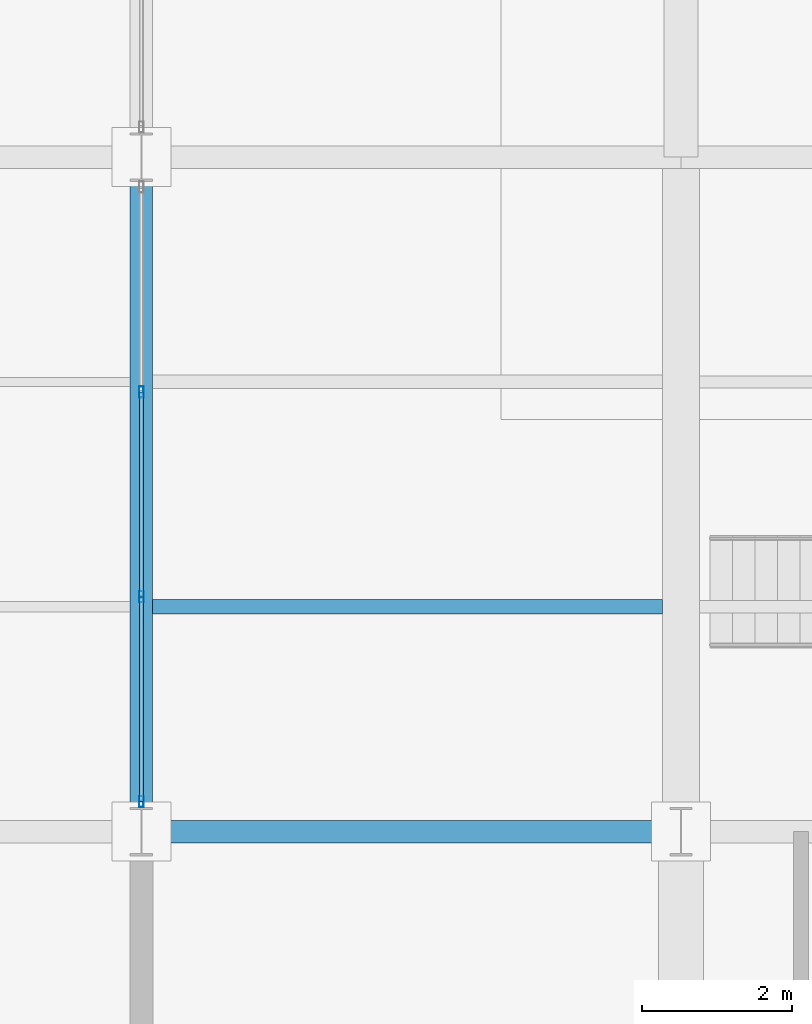
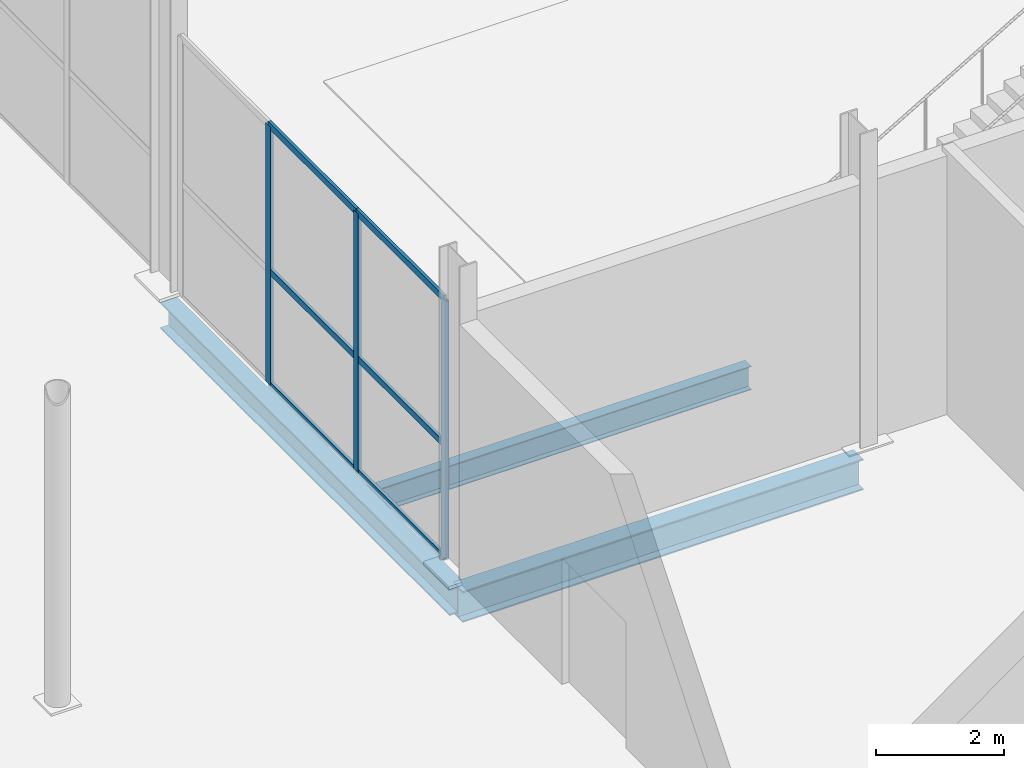
# One storey, part 44 of 144: 9 members, 3 beams, 1 element without a shape of its own.
"""IFC4 building model written with IfcOpenShell, lengths in metres."""

from ifc_helpers import new_model, si_unit, direction, frame, origin, origin_2d, place, context, subcontext, project, spatial, hollow_rectangle, i_section, extrude, material, layer, layer_set, material_profile, profile_set, type_object, element, aggregate, save


model = new_model("IFC4")

# Units and contexts
model_context = context("Model", 3, precision=1e-05, world=origin(), true_north=direction((0.0, 1.0)))
body_context = subcontext(model_context, "Body", "Model", "MODEL_VIEW")
ifc_project = project(units=[si_unit("LENGTHUNIT", "METRE"), si_unit("AREAUNIT", "SQUARE_METRE"), si_unit("VOLUMEUNIT", "CUBIC_METRE"), si_unit("PLANEANGLEUNIT", "RADIAN"), si_unit("MASSUNIT", "GRAM", prefix="KILO")], contexts=[model_context])

# Site, building, storey
site_placement = place(None, origin())
site = spatial("IfcSite", under=ifc_project, at=site_placement, CompositionType="ELEMENT")
building_placement = place(site_placement, origin())
building = spatial("IfcBuilding", under=site, at=building_placement, Name="Sundgate Opera House", CompositionType="ELEMENT")
storey_placement = place(building_placement, origin())
storey = spatial("IfcBuildingStorey", under=building, at=storey_placement, Name="L00", CompositionType="ELEMENT", Elevation=0.0)

# Beams
ifc_material_1 = material(Name="Steel S355J2", Category="steel")
ifc_material_profile_1 = material_profile(ifc_material_1, i_section(OverallWidth=0.300048828125, OverallDepth=0.590087890625, WebThickness=0.012939453125, FlangeThickness=0.02490234375, at=origin_2d()), Name="HEA 600")
ifc_profile_set_1 = profile_set([ifc_material_profile_1], Name="Steel S355J2")
beam_type_1 = type_object("IfcBeamType", Name="BM-GR-HEA600", PredefinedType="BEAM", material=ifc_profile_set_1)
beam_1_placement = place(storey_placement, frame((95.39990234375, 42.0, -0.614990234375), z_axis=(1.0, 0.0, 0.0), x_axis=(0.0, 1.0, 0.0)))
element("IfcBeam", 1, at=beam_1_placement, inside=storey, type_object=beam_type_1, Name="L00 Primary E-W Girder B0418", PredefinedType="BEAM", context=body_context, shape_type="SweptSolid", body=[
    extrude(i_section(OverallWidth=0.300048828125, OverallDepth=0.590087890625, WebThickness=0.012939453125, FlangeThickness=0.02490234375, at=origin_2d()), origin(), (0.0, 0.0, 1.0), 7.2001953125),
])
ifc_material_2 = material(Name="Steel S355J2", Category="steel")
ifc_material_profile_2 = material_profile(ifc_material_2, i_section(OverallWidth=0.300048828125, OverallDepth=0.5, WebThickness=0.014404296875, FlangeThickness=0.028076171875, at=origin_2d()), Name="HEB 500")
ifc_profile_set_2 = profile_set([ifc_material_profile_2], Name="Steel S355J2")
beam_type_2 = type_object("IfcBeamType", Name="BM-GR-HEB500", PredefinedType="BEAM", material=ifc_profile_set_2)
beam_2_placement = place(storey_placement, frame((95.39990234375, 42.0, -0.570068359375), z_axis=(0.0, 1.0, 0.0), x_axis=(-1.0, 0.0, 0.0)))
element("IfcBeam", 2, at=beam_2_placement, inside=storey, type_object=beam_type_2, Name="L00 Primary N-S Girder B0195", PredefinedType="BEAM", context=body_context, shape_type="SweptSolid", body=[
    extrude(i_section(OverallWidth=0.300048828125, OverallDepth=0.5, WebThickness=0.014404296875, FlangeThickness=0.028076171875, at=origin_2d()), origin(), (0.0, 0.0, 1.0), 9.0),
])
ifc_material_3 = material(Name="Steel S355J2", Category="steel")
ifc_material_profile_3 = material_profile(ifc_material_3, i_section(OverallWidth=0.18994140625, OverallDepth=0.449951171875, WebThickness=0.009521484375, FlangeThickness=0.0146484375, at=origin_2d()), Name="IPE 450")
ifc_profile_set_3 = profile_set([ifc_material_profile_3], Name="Steel S355J2")
beam_type_3 = type_object("IfcBeamType", Name="BM-JS-IPE450", PredefinedType="JOIST", material=ifc_profile_set_3)
beam_3_placement = place(storey_placement, frame((95.550048828125, 45.0, -0.544921875), z_axis=(1.0, 0.0, 0.0), x_axis=(0.0, 1.0, 0.0)))
element("IfcBeam", 3, at=beam_3_placement, inside=storey, type_object=beam_type_3, Name="L00 Secondary Floor Joist B0763", PredefinedType="JOIST", context=body_context, shape_type="SweptSolid", body=[
    extrude(i_section(OverallWidth=0.18994140625, OverallDepth=0.449951171875, WebThickness=0.009521484375, FlangeThickness=0.0146484375, at=origin_2d()), origin(), (0.0, 0.0, 1.0), 6.800048828125),
])

# Curtain wall, members
ifc_material_4 = material(Name="Anodized aluminium and low-iron glass", Category="aluminium")
ifc_layer = layer(ifc_material_4, 0.159912109375)
ifc_layer_set = layer_set([ifc_layer], Name="Anodized aluminium and low-iron glass")
curtain_wall_type = type_object("IfcCurtainWallType", Name="CW-STUDIO-DARK", PredefinedType="NOTDEFINED", material=ifc_layer_set)
curtain_wall_placement = place(storey_placement, origin())
curtain_wall = element("IfcCurtainWall", 4, at=curtain_wall_placement, inside=storey, type_object=curtain_wall_type, Name="L00 Curtain Wall CW028", PredefinedType="NOTDEFINED")
ifc_material_5 = material(Name="Anodized aluminium EN AW-6063", Category="aluminium")
ifc_material_profile_4 = material_profile(ifc_material_5, hollow_rectangle(XDim=0.06005859375, YDim=0.14990234375, WallThickness=0.00390625, at=origin_2d()), Name="CWM 150x60x4")
ifc_profile_set_4 = profile_set([ifc_material_profile_4], Name="Anodized aluminium EN AW-6063")
member_type_1 = type_object("IfcMemberType", Name="CWM-ALU-150x60", PredefinedType="MULLION", material=ifc_profile_set_4)
member_1_placement = place(storey_placement, frame((95.39990234375, 47.86669921875, 0.0), z_axis=(0.0, 0.0, 1.0), x_axis=(1.0, 0.0, 0.0)))
member_1 = element("IfcMember", 5, at=member_1_placement, type_object=member_type_1, Name="CW028 Mullion 2", PredefinedType="MULLION", context=body_context, shape_type="SweptSolid", body=[
    extrude(hollow_rectangle(XDim=0.06005859375, YDim=0.14990234375, WallThickness=0.00390625, at=origin_2d()), origin(), (0.0, 0.0, 1.0), 4.9150390625),
])
member_2_placement = place(storey_placement, frame((95.39990234375, 45.13330078125, 0.0), z_axis=(0.0, 0.0, 1.0), x_axis=(1.0, 0.0, 0.0)))
member_2 = element("IfcMember", 6, at=member_2_placement, type_object=member_type_1, Name="CW028 Mullion 3", PredefinedType="MULLION", context=body_context, shape_type="SweptSolid", body=[
    extrude(hollow_rectangle(XDim=0.06005859375, YDim=0.14990234375, WallThickness=0.00390625, at=origin_2d()), origin(), (0.0, 0.0, 1.0), 4.9150390625),
])
member_3_placement = place(storey_placement, frame((95.39990234375, 42.39990234375, 0.0), z_axis=(0.0, 0.0, 1.0), x_axis=(1.0, 0.0, 0.0)))
member_3 = element("IfcMember", 7, at=member_3_placement, type_object=member_type_1, Name="CW028 Mullion 4", PredefinedType="MULLION", context=body_context, shape_type="SweptSolid", body=[
    extrude(hollow_rectangle(XDim=0.06005859375, YDim=0.14990234375, WallThickness=0.00390625, at=origin_2d()), origin(), (0.0, 0.0, 1.0), 4.9150390625),
])
ifc_material_6 = material(Name="Anodized aluminium EN AW-6063", Category="aluminium")
ifc_material_profile_5 = material_profile(ifc_material_6, hollow_rectangle(XDim=0.054931640625, YDim=0.1201171875, WallThickness=0.00390625, at=origin_2d()), Name="CWT 120x55x4")
ifc_profile_set_5 = profile_set([ifc_material_profile_5], Name="Anodized aluminium EN AW-6063")
member_type_2 = type_object("IfcMemberType", Name="CWT-ALU-120x55", PredefinedType="USERDEFINED", material=ifc_profile_set_5)
member_4_placement = place(storey_placement, frame((95.39990234375, 47.86669921875, 0.0), z_axis=(0.0, -1.0, 0.0), x_axis=(1.0, 0.0, 0.0)))
member_4 = element("IfcMember", 8, at=member_4_placement, type_object=member_type_2, Name="CW028 Transom 4", ObjectType="TRANSOM", PredefinedType="USERDEFINED", context=body_context, shape_type="SweptSolid", body=[
    extrude(hollow_rectangle(XDim=0.054931640625, YDim=0.1201171875, WallThickness=0.00390625, at=origin_2d()), origin(), (0.0, 0.0, 1.0), 2.7333984375),
])
member_5_placement = place(storey_placement, frame((95.39990234375, 47.86669921875, 2.14990234375), z_axis=(0.0, -1.0, 0.0), x_axis=(1.0, 0.0, 0.0)))
member_5 = element("IfcMember", 9, at=member_5_placement, type_object=member_type_2, Name="CW028 Transom 5", ObjectType="TRANSOM", PredefinedType="USERDEFINED", context=body_context, shape_type="SweptSolid", body=[
    extrude(hollow_rectangle(XDim=0.054931640625, YDim=0.1201171875, WallThickness=0.00390625, at=origin_2d()), origin(), (0.0, 0.0, 1.0), 2.7333984375),
])
member_6_placement = place(storey_placement, frame((95.39990234375, 47.86669921875, 4.9150390625), z_axis=(0.0, -1.0, 0.0), x_axis=(1.0, 0.0, 0.0)))
member_6 = element("IfcMember", 10, at=member_6_placement, type_object=member_type_2, Name="CW028 Transom 6", ObjectType="TRANSOM", PredefinedType="USERDEFINED", context=body_context, shape_type="SweptSolid", body=[
    extrude(hollow_rectangle(XDim=0.054931640625, YDim=0.1201171875, WallThickness=0.00390625, at=origin_2d()), origin(), (0.0, 0.0, 1.0), 2.7333984375),
])
member_7_placement = place(storey_placement, frame((95.39990234375, 45.13330078125, 0.0), z_axis=(0.0, -1.0, 0.0), x_axis=(1.0, 0.0, 0.0)))
member_7 = element("IfcMember", 11, at=member_7_placement, type_object=member_type_2, Name="CW028 Transom 7", ObjectType="TRANSOM", PredefinedType="USERDEFINED", context=body_context, shape_type="SweptSolid", body=[
    extrude(hollow_rectangle(XDim=0.054931640625, YDim=0.1201171875, WallThickness=0.00390625, at=origin_2d()), origin(), (0.0, 0.0, 1.0), 2.7333984375),
])
member_8_placement = place(storey_placement, frame((95.39990234375, 45.13330078125, 2.14990234375), z_axis=(0.0, -1.0, 0.0), x_axis=(1.0, 0.0, 0.0)))
member_8 = element("IfcMember", 12, at=member_8_placement, type_object=member_type_2, Name="CW028 Transom 8", ObjectType="TRANSOM", PredefinedType="USERDEFINED", context=body_context, shape_type="SweptSolid", body=[
    extrude(hollow_rectangle(XDim=0.054931640625, YDim=0.1201171875, WallThickness=0.00390625, at=origin_2d()), origin(), (0.0, 0.0, 1.0), 2.7333984375),
])
member_9_placement = place(storey_placement, frame((95.39990234375, 45.13330078125, 4.9150390625), z_axis=(0.0, -1.0, 0.0), x_axis=(1.0, 0.0, 0.0)))
member_9 = element("IfcMember", 13, at=member_9_placement, type_object=member_type_2, Name="CW028 Transom 9", ObjectType="TRANSOM", PredefinedType="USERDEFINED", context=body_context, shape_type="SweptSolid", body=[
    extrude(hollow_rectangle(XDim=0.054931640625, YDim=0.1201171875, WallThickness=0.00390625, at=origin_2d()), origin(), (0.0, 0.0, 1.0), 2.7333984375),
])
aggregate(curtain_wall, [member_1, member_2, member_3, member_4, member_5, member_6, member_7, member_8, member_9])

save(model, "model.ifc")
